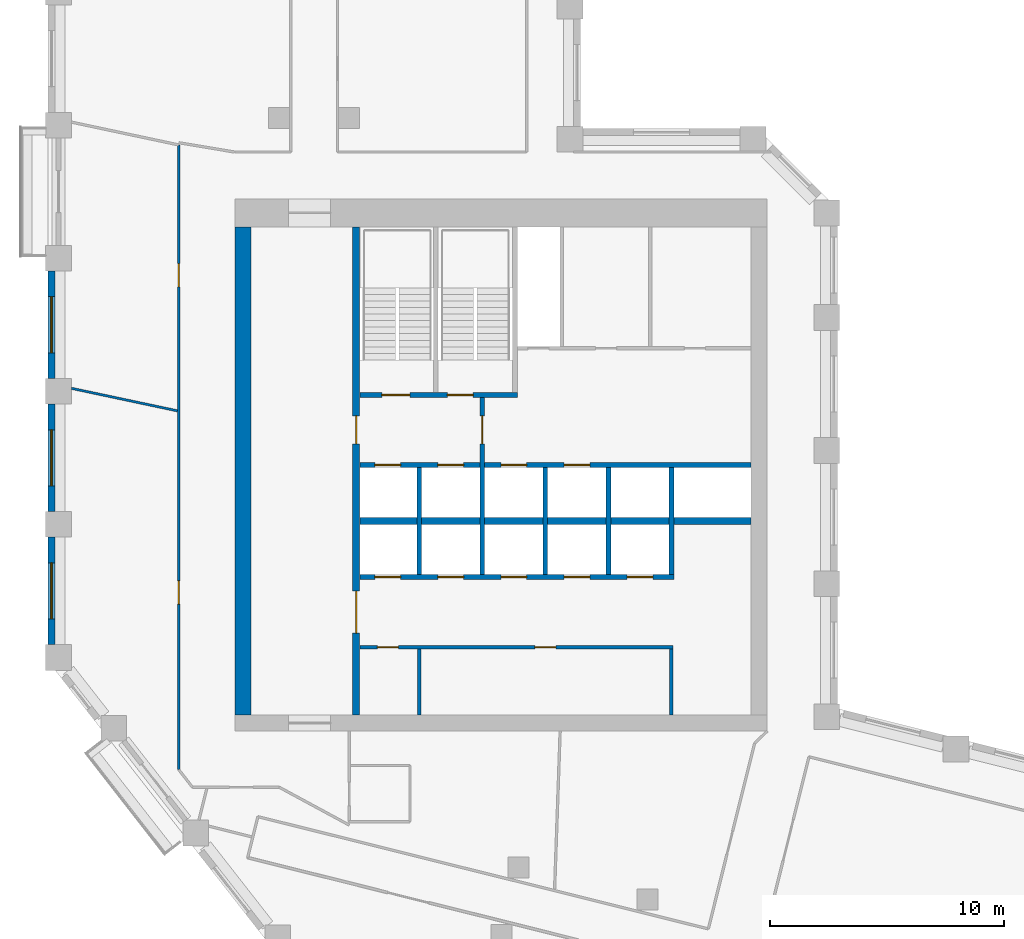
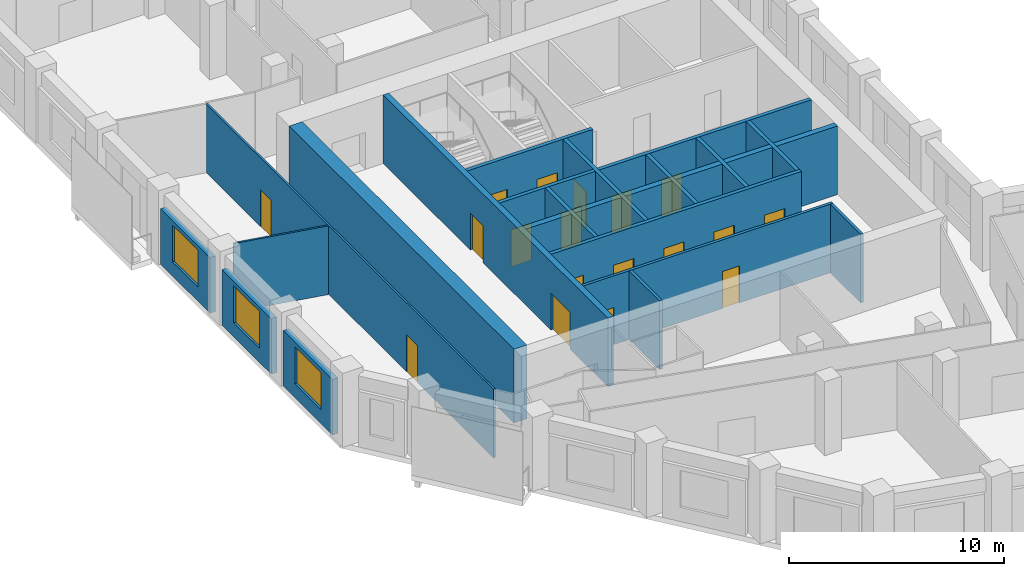
# One storey, part 5 of 10: 19 walls, 18 doors, 3 windows, 21 openings.
"""IFC4 building model written with IfcOpenShell, lengths in metres."""

from ifc_helpers import new_model, si_unit, direction, frame, frame_2d, origin, place, context, subcontext, project, spatial, rectangle, extrude, material, layer, layer_set, type_object, element, fill, save


model = new_model("IFC4")

# Units and contexts
model_context = context("Model", 3, precision=1e-05, world=origin(), true_north=direction((0.0, 1.0)))
body_context = subcontext(model_context, "Body", "Model", "MODEL_VIEW")
ifc_project = project(units=[si_unit("LENGTHUNIT", "METRE"), si_unit("AREAUNIT", "SQUARE_METRE"), si_unit("VOLUMEUNIT", "CUBIC_METRE"), si_unit("PLANEANGLEUNIT", "RADIAN"), si_unit("MASSUNIT", "GRAM", prefix="KILO")], contexts=[model_context])

# Site, building, storey
site_placement = place(None, origin())
site = spatial("IfcSite", under=ifc_project, at=site_placement, CompositionType="ELEMENT")
building_placement = place(site_placement, origin())
building = spatial("IfcBuilding", under=site, at=building_placement, Name="Meshkara Civic Tower", CompositionType="ELEMENT")
storey_placement = place(building_placement, frame((0.0, 0.0, 250.800048828125)))
storey = spatial("IfcBuildingStorey", under=building, at=storey_placement, Name="L57", CompositionType="ELEMENT", Elevation=250.800048828125)

# Wall, openings, doors
ifc_material_1 = material(Name="Blockwork", Category="masonry")
ifc_layer_1 = layer(ifc_material_1, 0.14990234375)
ifc_layer_set_1 = layer_set([ifc_layer_1], Name="Core partition 150")
wall_type_1 = type_object("IfcWallType", Name="Core partition 150", PredefinedType="PARTITIONING", material=ifc_layer_set_1)
wall_1_placement = place(storey_placement, frame((13.35009765625, 17.699951171875, 0.0), z_axis=(0.0, 0.0, 1.0), x_axis=(1.0, 0.0, 0.0)))
wall_1 = element("IfcWall", 1, at=wall_1_placement, inside=storey, type_object=wall_type_1, Name="L57-C005", PredefinedType="PARTITIONING", context=body_context, shape_type="SweptSolid", body=[
    extrude(rectangle(XDim=13.4248046875, YDim=0.14990234375, at=frame_2d((6.71240234375, 0.0))), origin(), (0.0, 0.0, 1.0), 3.89990234375),
])
opening_1_placement = place(wall_1_placement, frame((0.75, 0.0, 0.0)))
opening_1 = element("IfcOpeningElement", 2, at=opening_1_placement, cuts=wall_1, Name="Opening L57-K010", PredefinedType="OPENING", context=body_context, shape_type="SweptSolid", body=[
    extrude(rectangle(XDim=0.89990234375, YDim=2.10009765625, at=frame_2d((0.449951171875, 1.050048828125))), frame((0.0, 0.0849609375, 0.0), z_axis=(0.0, -1.0, 0.0), x_axis=(1.0, 0.0, 0.0)), (0.0, 0.0, 1.0), 0.169921875),
])
opening_2_placement = place(wall_1_placement, frame((7.5, 0.0, 0.0)))
opening_2 = element("IfcOpeningElement", 3, at=opening_2_placement, cuts=wall_1, Name="Opening L57-K011", PredefinedType="OPENING", context=body_context, shape_type="SweptSolid", body=[
    extrude(rectangle(XDim=0.89990234375, YDim=2.10009765625, at=frame_2d((0.449951171875, 1.050048828125))), frame((0.0, 0.0849609375, 0.0), z_axis=(0.0, -1.0, 0.0), x_axis=(1.0, 0.0, 0.0)), (0.0, 0.0, 1.0), 0.169921875),
])
ifc_material_2 = material(Name="Timber door leaf in steel frame", Category="steel")
door_type_1 = type_object("IfcDoorType", Name="Core room door 900", OperationType="SINGLE_SWING_LEFT", PredefinedType="DOOR", material=ifc_material_2)
door_1_placement = place(opening_1_placement, origin())
door_1 = element("IfcDoor", 4, at=door_1_placement, inside=storey, type_object=door_type_1, Name="L57-K010", OperationType="SINGLE_SWING_LEFT", OverallHeight=2.10009765625, OverallWidth=0.89990234375, PredefinedType="DOOR", context=body_context, shape_type="SweptSolid", body=[
    extrude(rectangle(XDim=0.89990234375, YDim=2.10009765625, at=frame_2d((0.449951171875, 1.050048828125))), frame((0.0, 0.02490234375, 0.0), z_axis=(0.0, -1.0, 0.0), x_axis=(1.0, 0.0, 0.0)), (0.0, 0.0, 1.0), 0.050048828125),
])
fill(opening_1, door_1)
door_2_placement = place(opening_2_placement, origin())
door_2 = element("IfcDoor", 5, at=door_2_placement, inside=storey, type_object=door_type_1, Name="L57-K011", OperationType="SINGLE_SWING_RIGHT", OverallHeight=2.10009765625, OverallWidth=0.89990234375, PredefinedType="DOOR", context=body_context, shape_type="SweptSolid", body=[
    extrude(rectangle(XDim=0.89990234375, YDim=2.10009765625, at=frame_2d((0.449951171875, 1.050048828125))), frame((0.0, 0.02490234375, 0.0), z_axis=(0.0, -1.0, 0.0), x_axis=(1.0, 0.0, 0.0)), (0.0, 0.0, 1.0), 0.050048828125),
])
fill(opening_2, door_2)

# Walls
for number, where, z_axis, x_axis, name in (
    (6, (15.89990234375, 14.800048828125, 0.0), (0.0, 0.0, 1.0), (0.0, 1.0, 0.0), "L57-C012"),
    (7, (26.699951171875, 14.800048828125, 0.0), (0.0, 0.0, 1.0), (0.0, 1.0, 0.0), "L57-C021"),
):
    element("IfcWall", number, at=place(storey_placement, frame(where, z_axis=z_axis, x_axis=x_axis)), inside=storey, type_object=wall_type_1, Name=name, PredefinedType="PARTITIONING", context=body_context, shape_type="SweptSolid", body=[
        extrude(rectangle(XDim=2.824951171875, YDim=0.14990234375, at=frame_2d((1.41259765625, 0.0))), origin(), (0.0, 0.0, 1.0), 3.89990234375),
    ])
ifc_material_3 = material(Name="Concrete C60", Category="concrete")
ifc_layer_2 = layer(ifc_material_3, 0.699951171875)
ifc_layer_set_2 = layer_set([ifc_layer_2], Name="Core ring wall 700 C60")
wall_type_2 = type_object("IfcWallType", Name="Core ring wall 700 C60", PredefinedType="SHEAR", material=ifc_layer_set_2)
wall_2_placement = place(storey_placement, frame((8.35009765625, 14.800048828125, -0.300048828125), z_axis=(0.0, 0.0, 1.0), x_axis=(0.0, 1.0, 0.0)))
element("IfcWall", 8, at=wall_2_placement, inside=storey, type_object=wall_type_2, Name="L57-C003", PredefinedType="SHEAR", context=body_context, shape_type="SweptSolid", body=[
    extrude(rectangle(XDim=20.89990234375, YDim=0.699951171875, at=frame_2d((10.449951171875, 0.0))), origin(), (0.0, 0.0, 1.0), 4.199951171875),
])
ifc_material_4 = material(Name="Concrete C60", Category="concrete")
ifc_layer_3 = layer(ifc_material_4, 0.300048828125)
ifc_layer_set_3 = layer_set([ifc_layer_3], Name="Core shear wall 300 C60")
wall_type_3 = type_object("IfcWallType", Name="Core shear wall 300 C60", PredefinedType="SHEAR", material=ifc_layer_set_3)
wall_3_placement = place(storey_placement, frame((13.35009765625, 23.10009765625, 0.0), z_axis=(0.0, 0.0, 1.0), x_axis=(1.0, 0.0, 0.0)))
element("IfcWall", 9, at=wall_3_placement, inside=storey, type_object=wall_type_3, Name="L57-C007", PredefinedType="SHEAR", context=body_context, shape_type="SweptSolid", body=[
    extrude(rectangle(XDim=16.75, YDim=0.300048828125, at=frame_2d((8.375, 0.0))), origin(), (0.0, 0.0, 1.0), 3.89990234375),
])

# Wall, openings, doors
wall_4_placement = place(storey_placement, frame((13.199951171875, 14.800048828125, 0.0), z_axis=(0.0, 0.0, 1.0), x_axis=(0.0, 1.0, 0.0)))
wall_4 = element("IfcWall", 10, at=wall_4_placement, inside=storey, type_object=wall_type_3, Name="L57-C011", PredefinedType="SHEAR", context=body_context, shape_type="SweptSolid", body=[
    extrude(rectangle(XDim=20.89990234375, YDim=0.300048828125, at=frame_2d((10.449951171875, 0.0))), origin(), (0.0, 0.0, 1.0), 3.89990234375),
])
opening_3_placement = place(wall_4_placement, frame((3.5, 0.0, 0.0)))
opening_3 = element("IfcOpeningElement", 11, at=opening_3_placement, cuts=wall_4, Name="Opening L57-K017", PredefinedType="OPENING", context=body_context, shape_type="SweptSolid", body=[
    extrude(rectangle(XDim=1.800048828125, YDim=2.10009765625, at=frame_2d((0.89990234375, 1.050048828125))), frame((0.0, 0.159912109375, 0.0), z_axis=(0.0, -1.0, 0.0), x_axis=(1.0, 0.0, 0.0)), (0.0, 0.0, 1.0), 0.320068359375),
])
opening_4_placement = place(wall_4_placement, frame((11.60009765625, 0.0, 0.0)))
opening_4 = element("IfcOpeningElement", 12, at=opening_4_placement, cuts=wall_4, Name="Opening L57-K018", PredefinedType="OPENING", context=body_context, shape_type="SweptSolid", body=[
    extrude(rectangle(XDim=1.199951171875, YDim=2.10009765625, at=frame_2d((0.60009765625, 1.050048828125))), frame((0.0, 0.159912109375, 0.0), z_axis=(0.0, -1.0, 0.0), x_axis=(1.0, 0.0, 0.0)), (0.0, 0.0, 1.0), 0.320068359375),
])
ifc_material_5 = material(Name="Fire-rated door leaf in steel frame", Category="steel")
door_type_2 = type_object("IfcDoorType", Name="Core double door 1800 EI 60", OperationType="DOUBLE_DOOR_SINGLE_SWING", PredefinedType="DOOR", material=ifc_material_5)
door_3_placement = place(opening_3_placement, origin())
door_3 = element("IfcDoor", 13, at=door_3_placement, inside=storey, type_object=door_type_2, Name="L57-K017", OperationType="DOUBLE_DOOR_SINGLE_SWING", OverallHeight=2.10009765625, OverallWidth=1.800048828125, PredefinedType="DOOR", context=body_context, shape_type="SweptSolid", body=[
    extrude(rectangle(XDim=1.800048828125, YDim=2.10009765625, at=frame_2d((0.89990234375, 1.050048828125))), frame((0.0, 0.02490234375, 0.0), z_axis=(0.0, -1.0, 0.0), x_axis=(1.0, 0.0, 0.0)), (0.0, 0.0, 1.0), 0.050048828125),
])
fill(opening_3, door_3)
ifc_material_6 = material(Name="Fire-rated door leaf in steel frame", Category="steel")
door_type_3 = type_object("IfcDoorType", Name="Fire-fighting lobby door 1200 EI 120", OperationType="SINGLE_SWING_LEFT", PredefinedType="DOOR", material=ifc_material_6)
door_4_placement = place(opening_4_placement, origin())
door_4 = element("IfcDoor", 14, at=door_4_placement, inside=storey, type_object=door_type_3, Name="L57-K018", OperationType="SINGLE_SWING_LEFT", OverallHeight=2.10009765625, OverallWidth=1.199951171875, PredefinedType="DOOR", context=body_context, shape_type="SweptSolid", body=[
    extrude(rectangle(XDim=1.199951171875, YDim=2.10009765625, at=frame_2d((0.60009765625, 1.050048828125))), frame((0.0, 0.02490234375, 0.0), z_axis=(0.0, -1.0, 0.0), x_axis=(1.0, 0.0, 0.0)), (0.0, 0.0, 1.0), 0.050048828125),
])
fill(opening_4, door_4)

ifc_material_7 = material(Name="Corridor wall 100")
ifc_layer_4 = layer(ifc_material_7, 0.10009765625)
ifc_layer_set_4 = layer_set([ifc_layer_4], Name="Corridor wall 100")
wall_type_4 = type_object("IfcWallType", Name="Corridor wall 100", PredefinedType="PARTITIONING", material=ifc_layer_set_4)
wall_5_placement = place(storey_placement, frame((5.60009765625, 39.205078125, 0.0), z_axis=(0.0, 0.0, 1.0), x_axis=(0.0, -1.0, 0.0)))
wall_5 = element("IfcWall", 15, at=wall_5_placement, inside=storey, type_object=wall_type_4, Name="L57-W004", PredefinedType="PARTITIONING", context=body_context, shape_type="SweptSolid", body=[
    extrude(rectangle(XDim=26.755126953125, YDim=0.10009765625, at=frame_2d((13.37744140625, 0.0))), origin(), (0.0, 0.0, 1.0), 3.89990234375),
])
opening_5_placement = place(wall_5_placement, frame((18.6669921875, 0.0, 0.0)))
opening_5 = element("IfcOpeningElement", 16, at=opening_5_placement, cuts=wall_5, Name="Opening L57-D013", PredefinedType="OPENING", context=body_context, shape_type="SweptSolid", body=[
    extrude(rectangle(XDim=1.0, YDim=2.10009765625, at=frame_2d((0.5, 1.050048828125))), frame((0.0, 0.06005859375, 0.0), z_axis=(0.0, -1.0, 0.0), x_axis=(1.0, 0.0, 0.0)), (0.0, 0.0, 1.0), 0.1201171875),
])
opening_6_placement = place(wall_5_placement, frame((5.080078125, 0.0, 0.0)))
opening_6 = element("IfcOpeningElement", 17, at=opening_6_placement, cuts=wall_5, Name="Opening L57-D014", PredefinedType="OPENING", context=body_context, shape_type="SweptSolid", body=[
    extrude(rectangle(XDim=1.0, YDim=2.10009765625, at=frame_2d((0.5, 1.050048828125))), frame((0.0, 0.06005859375, 0.0), z_axis=(0.0, -1.0, 0.0), x_axis=(1.0, 0.0, 0.0)), (0.0, 0.0, 1.0), 0.1201171875),
])
ifc_material_8 = material(Name="Door 1000 x 2100")
door_type_4 = type_object("IfcDoorType", Name="Door 1000 x 2100", OperationType="SINGLE_SWING_LEFT", PredefinedType="DOOR", material=ifc_material_8)
door_5_placement = place(opening_5_placement, origin())
door_5 = element("IfcDoor", 18, at=door_5_placement, inside=storey, type_object=door_type_4, Name="L57-D013", OperationType="SINGLE_SWING_LEFT", OverallHeight=2.10009765625, OverallWidth=1.0, PredefinedType="DOOR", context=body_context, shape_type="SweptSolid", body=[
    extrude(rectangle(XDim=1.0, YDim=2.10009765625, at=frame_2d((0.5, 1.050048828125))), frame((0.0, 0.02490234375, 0.0), z_axis=(0.0, -1.0, 0.0), x_axis=(1.0, 0.0, 0.0)), (0.0, 0.0, 1.0), 0.050048828125),
])
fill(opening_5, door_5)
door_6_placement = place(opening_6_placement, origin())
door_6 = element("IfcDoor", 19, at=door_6_placement, inside=storey, type_object=door_type_4, Name="L57-D014", OperationType="SINGLE_SWING_RIGHT", OverallHeight=2.10009765625, OverallWidth=1.0, PredefinedType="DOOR", context=body_context, shape_type="SweptSolid", body=[
    extrude(rectangle(XDim=1.0, YDim=2.10009765625, at=frame_2d((0.5, 1.050048828125))), frame((0.0, 0.02490234375, 0.0), z_axis=(0.0, -1.0, 0.0), x_axis=(1.0, 0.0, 0.0)), (0.0, 0.0, 1.0), 0.050048828125),
])
fill(opening_6, door_6)

# Wall, opening, window
ifc_material_9 = material(Name="Insulated infill panel with bronze anodised aluminium cladding", Category="aluminium")
ifc_layer_5 = layer(ifc_material_9, 0.300048828125)
ifc_layer_set_5 = layer_set([ifc_layer_5], Name="EXTERNAL INFILL WALL 300")
wall_type_5 = type_object("IfcWallType", Name="EXTERNAL INFILL WALL 300", PredefinedType="SOLIDWALL", material=ifc_layer_set_5)
wall_6_placement = place(storey_placement, frame((0.14990234375, 33.804931640625, 0.0), z_axis=(0.0, 0.0, 1.0), x_axis=(0.0, -1.0, 0.0)))
wall_6 = element("IfcWall", 20, at=wall_6_placement, inside=storey, type_object=wall_type_5, Name="External wall", PredefinedType="SOLIDWALL", context=body_context, shape_type="SweptSolid", body=[
    extrude(rectangle(XDim=4.599853515625, YDim=0.300048828125, at=frame_2d((2.2998046875, 0.0))), origin(), (0.0, 0.0, 1.0), 3.14990234375),
])
opening_7_placement = place(wall_6_placement, frame((1.10009765625, 0.0, 0.800048828125)))
opening_7 = element("IfcOpeningElement", 21, at=opening_7_placement, cuts=wall_6, Name="Opening W7", PredefinedType="OPENING", context=body_context, shape_type="SweptSolid", body=[
    extrude(rectangle(XDim=2.39990234375, YDim=2.10009765625, at=frame_2d((1.199951171875, 1.050048828125))), frame((0.0, 0.159912109375, 0.0), z_axis=(0.0, -1.0, 0.0), x_axis=(1.0, 0.0, 0.0)), (0.0, 0.0, 1.0), 0.320068359375),
])
ifc_material_10 = material(Name="Tinted double glazing", Category="glass")
window_type = type_object("IfcWindowType", Name="WINDOW 2400x2100", PartitioningType="DOUBLE_PANEL_VERTICAL", PredefinedType="WINDOW", material=ifc_material_10)
window_1_placement = place(opening_7_placement, origin())
window_1 = element("IfcWindow", 22, at=window_1_placement, inside=storey, type_object=window_type, Name="Window", OverallHeight=2.10009765625, OverallWidth=2.39990234375, PartitioningType="DOUBLE_PANEL_VERTICAL", PredefinedType="WINDOW", context=body_context, shape_type="SweptSolid", body=[
    extrude(rectangle(XDim=2.39990234375, YDim=2.10009765625, at=frame_2d((1.199951171875, 1.050048828125))), frame((0.0, 0.030029296875, 0.0), z_axis=(0.0, -1.0, 0.0), x_axis=(1.0, 0.0, 0.0)), (0.0, 0.0, 1.0), 0.06005859375),
])
fill(opening_7, window_1)

wall_7_placement = place(storey_placement, frame((0.14990234375, 28.10498046875, 0.0), z_axis=(0.0, 0.0, 1.0), x_axis=(0.0, -1.0, 0.0)))
wall_7 = element("IfcWall", 23, at=wall_7_placement, inside=storey, type_object=wall_type_5, Name="External wall", PredefinedType="SOLIDWALL", context=body_context, shape_type="SweptSolid", body=[
    extrude(rectangle(XDim=4.60009765625, YDim=0.300048828125, at=frame_2d((2.300048828125, 0.0))), origin(), (0.0, 0.0, 1.0), 3.14990234375),
])
opening_8_placement = place(wall_7_placement, frame((1.10009765625, 0.0, 0.800048828125)))
opening_8 = element("IfcOpeningElement", 24, at=opening_8_placement, cuts=wall_7, Name="Opening W7", PredefinedType="OPENING", context=body_context, shape_type="SweptSolid", body=[
    extrude(rectangle(XDim=2.39990234375, YDim=2.10009765625, at=frame_2d((1.199951171875, 1.050048828125))), frame((0.0, 0.159912109375, 0.0), z_axis=(0.0, -1.0, 0.0), x_axis=(1.0, 0.0, 0.0)), (0.0, 0.0, 1.0), 0.320068359375),
])
window_2_placement = place(opening_8_placement, origin())
window_2 = element("IfcWindow", 25, at=window_2_placement, inside=storey, type_object=window_type, Name="Window", OverallHeight=2.10009765625, OverallWidth=2.39990234375, PartitioningType="DOUBLE_PANEL_VERTICAL", PredefinedType="WINDOW", context=body_context, shape_type="SweptSolid", body=[
    extrude(rectangle(XDim=2.39990234375, YDim=2.10009765625, at=frame_2d((1.199951171875, 1.050048828125))), frame((0.0, 0.030029296875, 0.0), z_axis=(0.0, -1.0, 0.0), x_axis=(1.0, 0.0, 0.0)), (0.0, 0.0, 1.0), 0.06005859375),
])
fill(opening_8, window_2)

wall_8_placement = place(storey_placement, frame((0.14990234375, 22.405029296875, 0.0), z_axis=(0.0, 0.0, 1.0), x_axis=(0.0, -1.0, 0.0)))
wall_8 = element("IfcWall", 26, at=wall_8_placement, inside=storey, type_object=wall_type_5, Name="External wall", PredefinedType="SOLIDWALL", context=body_context, shape_type="SweptSolid", body=[
    extrude(rectangle(XDim=4.60009765625, YDim=0.300048828125, at=frame_2d((2.300048828125, 0.0))), origin(), (0.0, 0.0, 1.0), 3.14990234375),
])
opening_9_placement = place(wall_8_placement, frame((1.10009765625, 0.0, 0.800048828125)))
opening_9 = element("IfcOpeningElement", 27, at=opening_9_placement, cuts=wall_8, Name="Opening W7", PredefinedType="OPENING", context=body_context, shape_type="SweptSolid", body=[
    extrude(rectangle(XDim=2.39990234375, YDim=2.10009765625, at=frame_2d((1.199951171875, 1.050048828125))), frame((0.0, 0.159912109375, 0.0), z_axis=(0.0, -1.0, 0.0), x_axis=(1.0, 0.0, 0.0)), (0.0, 0.0, 1.0), 0.320068359375),
])
window_3_placement = place(opening_9_placement, origin())
window_3 = element("IfcWindow", 28, at=window_3_placement, inside=storey, type_object=window_type, Name="Window", OverallHeight=2.10009765625, OverallWidth=2.39990234375, PartitioningType="DOUBLE_PANEL_VERTICAL", PredefinedType="WINDOW", context=body_context, shape_type="SweptSolid", body=[
    extrude(rectangle(XDim=2.39990234375, YDim=2.10009765625, at=frame_2d((1.199951171875, 1.050048828125))), frame((0.0, 0.030029296875, 0.0), z_axis=(0.0, -1.0, 0.0), x_axis=(1.0, 0.0, 0.0)), (0.0, 0.0, 1.0), 0.06005859375),
])
fill(opening_9, window_3)

# Wall
ifc_material_11 = material(Name="Partition 100")
ifc_layer_6 = layer(ifc_material_11, 0.10009765625)
ifc_layer_set_6 = layer_set([ifc_layer_6], Name="Partition 100")
wall_type_6 = type_object("IfcWallType", Name="Partition 100", PredefinedType="PARTITIONING", material=ifc_layer_set_6)
wall_9_placement = place(storey_placement, frame((5.5400390625, 27.818115234375, 0.0), z_axis=(0.0, 0.0, 1.0), x_axis=(-0.978155107638, 0.207876370477, 0.0)))
element("IfcWall", 29, at=wall_9_placement, inside=storey, type_object=wall_type_6, Name="L57-W046", PredefinedType="PARTITIONING", context=body_context, shape_type="SweptSolid", body=[
    extrude(rectangle(XDim=4.641357421875, YDim=0.10009765625, at=frame_2d((2.32080078125, 0.0))), origin(), (0.0, 0.0, 1.0), 3.89990234375),
])

# Wall, openings, doors
ifc_material_12 = material(Name="Concrete C40/50", Category="concrete")
ifc_layer_7 = layer(ifc_material_12, 0.199951171875)
ifc_layer_set_7 = layer_set([ifc_layer_7], Name="Shaft wall 200 C40/50")
wall_type_7 = type_object("IfcWallType", Name="Shaft wall 200 C40/50", PredefinedType="SOLIDWALL", material=ifc_layer_set_7)
wall_10_placement = place(storey_placement, frame((13.35009765625, 20.699951171875, 0.0), z_axis=(0.0, 0.0, 1.0), x_axis=(1.0, 0.0, 0.0)))
wall_10 = element("IfcWall", 30, at=wall_10_placement, inside=storey, type_object=wall_type_7, Name="L57-C006", PredefinedType="SOLIDWALL", context=body_context, shape_type="SweptSolid", body=[
    extrude(rectangle(XDim=13.449951171875, YDim=0.199951171875, at=frame_2d((6.72509765625, 0.0))), origin(), (0.0, 0.0, 1.0), 3.89990234375),
])
opening_10_placement = place(wall_10_placement, frame((0.64990234375, 0.0, 0.0)))
opening_10 = element("IfcOpeningElement", 31, at=opening_10_placement, cuts=wall_10, Name="Opening L57-K001", PredefinedType="OPENING", context=body_context, shape_type="SweptSolid", body=[
    extrude(rectangle(XDim=1.10009765625, YDim=2.10009765625, at=frame_2d((0.550048828125, 1.050048828125))), frame((0.0, 0.10986328125, 0.0), z_axis=(0.0, -1.0, 0.0), x_axis=(1.0, 0.0, 0.0)), (0.0, 0.0, 1.0), 0.219970703125),
])
opening_11_placement = place(wall_10_placement, frame((3.35009765625, 0.0, 0.0)))
opening_11 = element("IfcOpeningElement", 32, at=opening_11_placement, cuts=wall_10, Name="Opening L57-K002", PredefinedType="OPENING", context=body_context, shape_type="SweptSolid", body=[
    extrude(rectangle(XDim=1.10009765625, YDim=2.10009765625, at=frame_2d((0.550048828125, 1.050048828125))), frame((0.0, 0.10986328125, 0.0), z_axis=(0.0, -1.0, 0.0), x_axis=(1.0, 0.0, 0.0)), (0.0, 0.0, 1.0), 0.219970703125),
])
opening_12_placement = place(wall_10_placement, frame((6.050048828125, 0.0, 0.0)))
opening_12 = element("IfcOpeningElement", 33, at=opening_12_placement, cuts=wall_10, Name="Opening L57-K003", PredefinedType="OPENING", context=body_context, shape_type="SweptSolid", body=[
    extrude(rectangle(XDim=1.10009765625, YDim=2.10009765625, at=frame_2d((0.550048828125, 1.050048828125))), frame((0.0, 0.10986328125, 0.0), z_axis=(0.0, -1.0, 0.0), x_axis=(1.0, 0.0, 0.0)), (0.0, 0.0, 1.0), 0.219970703125),
])
opening_13_placement = place(wall_10_placement, frame((8.75, 0.0, 0.0)))
opening_13 = element("IfcOpeningElement", 34, at=opening_13_placement, cuts=wall_10, Name="Opening L57-K004", PredefinedType="OPENING", context=body_context, shape_type="SweptSolid", body=[
    extrude(rectangle(XDim=1.10009765625, YDim=2.10009765625, at=frame_2d((0.550048828125, 1.050048828125))), frame((0.0, 0.10986328125, 0.0), z_axis=(0.0, -1.0, 0.0), x_axis=(1.0, 0.0, 0.0)), (0.0, 0.0, 1.0), 0.219970703125),
])
opening_14_placement = place(wall_10_placement, frame((11.449951171875, 0.0, 0.0)))
opening_14 = element("IfcOpeningElement", 35, at=opening_14_placement, cuts=wall_10, Name="Opening L57-K005", PredefinedType="OPENING", context=body_context, shape_type="SweptSolid", body=[
    extrude(rectangle(XDim=1.10009765625, YDim=2.10009765625, at=frame_2d((0.550048828125, 1.050048828125))), frame((0.0, 0.10986328125, 0.0), z_axis=(0.0, -1.0, 0.0), x_axis=(1.0, 0.0, 0.0)), (0.0, 0.0, 1.0), 0.219970703125),
])
ifc_material_13 = material(Name="Stainless steel landing door", Category="steel")
door_type_5 = type_object("IfcDoorType", Name="Lift landing door 1100", OperationType="SLIDING_TO_LEFT", PredefinedType="DOOR", material=ifc_material_13)
door_7_placement = place(opening_10_placement, origin())
door_7 = element("IfcDoor", 36, at=door_7_placement, inside=storey, type_object=door_type_5, Name="L57-K001", OperationType="SLIDING_TO_LEFT", OverallHeight=2.10009765625, OverallWidth=1.10009765625, PredefinedType="DOOR", context=body_context, shape_type="SweptSolid", body=[
    extrude(rectangle(XDim=1.10009765625, YDim=2.10009765625, at=frame_2d((0.550048828125, 1.050048828125))), frame((0.0, 0.02490234375, 0.0), z_axis=(0.0, -1.0, 0.0), x_axis=(1.0, 0.0, 0.0)), (0.0, 0.0, 1.0), 0.050048828125),
])
fill(opening_10, door_7)
door_8_placement = place(opening_11_placement, origin())
door_8 = element("IfcDoor", 37, at=door_8_placement, inside=storey, type_object=door_type_5, Name="L57-K002", OperationType="SLIDING_TO_LEFT", OverallHeight=2.10009765625, OverallWidth=1.10009765625, PredefinedType="DOOR", context=body_context, shape_type="SweptSolid", body=[
    extrude(rectangle(XDim=1.10009765625, YDim=2.10009765625, at=frame_2d((0.550048828125, 1.050048828125))), frame((0.0, 0.02490234375, 0.0), z_axis=(0.0, -1.0, 0.0), x_axis=(1.0, 0.0, 0.0)), (0.0, 0.0, 1.0), 0.050048828125),
])
fill(opening_11, door_8)
door_9_placement = place(opening_12_placement, origin())
door_9 = element("IfcDoor", 38, at=door_9_placement, inside=storey, type_object=door_type_5, Name="L57-K003", OperationType="SLIDING_TO_LEFT", OverallHeight=2.10009765625, OverallWidth=1.10009765625, PredefinedType="DOOR", context=body_context, shape_type="SweptSolid", body=[
    extrude(rectangle(XDim=1.10009765625, YDim=2.10009765625, at=frame_2d((0.550048828125, 1.050048828125))), frame((0.0, 0.02490234375, 0.0), z_axis=(0.0, -1.0, 0.0), x_axis=(1.0, 0.0, 0.0)), (0.0, 0.0, 1.0), 0.050048828125),
])
fill(opening_12, door_9)
door_10_placement = place(opening_13_placement, origin())
door_10 = element("IfcDoor", 39, at=door_10_placement, inside=storey, type_object=door_type_5, Name="L57-K004", OperationType="SLIDING_TO_LEFT", OverallHeight=2.10009765625, OverallWidth=1.10009765625, PredefinedType="DOOR", context=body_context, shape_type="SweptSolid", body=[
    extrude(rectangle(XDim=1.10009765625, YDim=2.10009765625, at=frame_2d((0.550048828125, 1.050048828125))), frame((0.0, 0.02490234375, 0.0), z_axis=(0.0, -1.0, 0.0), x_axis=(1.0, 0.0, 0.0)), (0.0, 0.0, 1.0), 0.050048828125),
])
fill(opening_13, door_10)
door_11_placement = place(opening_14_placement, origin())
door_11 = element("IfcDoor", 40, at=door_11_placement, inside=storey, type_object=door_type_5, Name="L57-K005", OperationType="SLIDING_TO_LEFT", OverallHeight=2.10009765625, OverallWidth=1.10009765625, PredefinedType="DOOR", context=body_context, shape_type="SweptSolid", body=[
    extrude(rectangle(XDim=1.10009765625, YDim=2.10009765625, at=frame_2d((0.550048828125, 1.050048828125))), frame((0.0, 0.02490234375, 0.0), z_axis=(0.0, -1.0, 0.0), x_axis=(1.0, 0.0, 0.0)), (0.0, 0.0, 1.0), 0.050048828125),
])
fill(opening_14, door_11)

wall_11_placement = place(storey_placement, frame((13.35009765625, 25.5, 0.0), z_axis=(0.0, 0.0, 1.0), x_axis=(1.0, 0.0, 0.0)))
wall_11 = element("IfcWall", 41, at=wall_11_placement, inside=storey, type_object=wall_type_7, Name="L57-C008", PredefinedType="SOLIDWALL", context=body_context, shape_type="SweptSolid", body=[
    extrude(rectangle(XDim=16.75, YDim=0.199951171875, at=frame_2d((8.375, 0.0))), origin(), (0.0, 0.0, 1.0), 3.89990234375),
])
opening_15_placement = place(wall_11_placement, frame((0.64990234375, 0.0, 0.0)))
opening_15 = element("IfcOpeningElement", 42, at=opening_15_placement, cuts=wall_11, Name="Opening L57-K006", PredefinedType="OPENING", context=body_context, shape_type="SweptSolid", body=[
    extrude(rectangle(XDim=1.10009765625, YDim=2.10009765625, at=frame_2d((0.550048828125, 1.050048828125))), frame((0.0, 0.10986328125, 0.0), z_axis=(0.0, -1.0, 0.0), x_axis=(1.0, 0.0, 0.0)), (0.0, 0.0, 1.0), 0.219970703125),
])
opening_16_placement = place(wall_11_placement, frame((3.35009765625, 0.0, 0.0)))
opening_16 = element("IfcOpeningElement", 43, at=opening_16_placement, cuts=wall_11, Name="Opening L57-K007", PredefinedType="OPENING", context=body_context, shape_type="SweptSolid", body=[
    extrude(rectangle(XDim=1.10009765625, YDim=2.10009765625, at=frame_2d((0.550048828125, 1.050048828125))), frame((0.0, 0.10986328125, 0.0), z_axis=(0.0, -1.0, 0.0), x_axis=(1.0, 0.0, 0.0)), (0.0, 0.0, 1.0), 0.219970703125),
])
opening_17_placement = place(wall_11_placement, frame((6.050048828125, 0.0, 0.0)))
opening_17 = element("IfcOpeningElement", 44, at=opening_17_placement, cuts=wall_11, Name="Opening L57-K008", PredefinedType="OPENING", context=body_context, shape_type="SweptSolid", body=[
    extrude(rectangle(XDim=1.10009765625, YDim=2.10009765625, at=frame_2d((0.550048828125, 1.050048828125))), frame((0.0, 0.10986328125, 0.0), z_axis=(0.0, -1.0, 0.0), x_axis=(1.0, 0.0, 0.0)), (0.0, 0.0, 1.0), 0.219970703125),
])
opening_18_placement = place(wall_11_placement, frame((8.75, 0.0, 0.0)))
opening_18 = element("IfcOpeningElement", 45, at=opening_18_placement, cuts=wall_11, Name="Opening L57-K009", PredefinedType="OPENING", context=body_context, shape_type="SweptSolid", body=[
    extrude(rectangle(XDim=1.10009765625, YDim=2.10009765625, at=frame_2d((0.550048828125, 1.050048828125))), frame((0.0, 0.10986328125, 0.0), z_axis=(0.0, -1.0, 0.0), x_axis=(1.0, 0.0, 0.0)), (0.0, 0.0, 1.0), 0.219970703125),
])
door_12_placement = place(opening_15_placement, origin())
door_12 = element("IfcDoor", 46, at=door_12_placement, inside=storey, type_object=door_type_5, Name="L57-K006", OperationType="SLIDING_TO_LEFT", OverallHeight=2.10009765625, OverallWidth=1.10009765625, PredefinedType="DOOR", context=body_context, shape_type="SweptSolid", body=[
    extrude(rectangle(XDim=1.10009765625, YDim=2.10009765625, at=frame_2d((0.550048828125, 1.050048828125))), frame((0.0, 0.02490234375, 0.0), z_axis=(0.0, -1.0, 0.0), x_axis=(1.0, 0.0, 0.0)), (0.0, 0.0, 1.0), 0.050048828125),
])
fill(opening_15, door_12)
door_13_placement = place(opening_16_placement, origin())
door_13 = element("IfcDoor", 47, at=door_13_placement, inside=storey, type_object=door_type_5, Name="L57-K007", OperationType="SLIDING_TO_LEFT", OverallHeight=2.10009765625, OverallWidth=1.10009765625, PredefinedType="DOOR", context=body_context, shape_type="SweptSolid", body=[
    extrude(rectangle(XDim=1.10009765625, YDim=2.10009765625, at=frame_2d((0.550048828125, 1.050048828125))), frame((0.0, 0.02490234375, 0.0), z_axis=(0.0, -1.0, 0.0), x_axis=(1.0, 0.0, 0.0)), (0.0, 0.0, 1.0), 0.050048828125),
])
fill(opening_16, door_13)
door_14_placement = place(opening_17_placement, origin())
door_14 = element("IfcDoor", 48, at=door_14_placement, inside=storey, type_object=door_type_5, Name="L57-K008", OperationType="SLIDING_TO_LEFT", OverallHeight=2.10009765625, OverallWidth=1.10009765625, PredefinedType="DOOR", context=body_context, shape_type="SweptSolid", body=[
    extrude(rectangle(XDim=1.10009765625, YDim=2.10009765625, at=frame_2d((0.550048828125, 1.050048828125))), frame((0.0, 0.02490234375, 0.0), z_axis=(0.0, -1.0, 0.0), x_axis=(1.0, 0.0, 0.0)), (0.0, 0.0, 1.0), 0.050048828125),
])
fill(opening_17, door_14)
door_15_placement = place(opening_18_placement, origin())
door_15 = element("IfcDoor", 49, at=door_15_placement, inside=storey, type_object=door_type_5, Name="L57-K009", OperationType="SLIDING_TO_LEFT", OverallHeight=2.10009765625, OverallWidth=1.10009765625, PredefinedType="DOOR", context=body_context, shape_type="SweptSolid", body=[
    extrude(rectangle(XDim=1.10009765625, YDim=2.10009765625, at=frame_2d((0.550048828125, 1.050048828125))), frame((0.0, 0.02490234375, 0.0), z_axis=(0.0, -1.0, 0.0), x_axis=(1.0, 0.0, 0.0)), (0.0, 0.0, 1.0), 0.050048828125),
])
fill(opening_18, door_15)

# Wall
wall_12_placement = place(storey_placement, frame((15.89990234375, 20.800048828125, 0.0), z_axis=(0.0, 0.0, 1.0), x_axis=(0.0, 1.0, 0.0)))
element("IfcWall", 50, at=wall_12_placement, inside=storey, type_object=wall_type_7, Name="L57-C013", PredefinedType="SOLIDWALL", context=body_context, shape_type="SweptSolid", body=[
    extrude(rectangle(XDim=4.599853515625, YDim=0.199951171875, at=frame_2d((2.2998046875, 0.0))), origin(), (0.0, 0.0, 1.0), 3.89990234375),
])

# Wall, opening, door
wall_13_placement = place(storey_placement, frame((18.60009765625, 20.800048828125, 0.0), z_axis=(0.0, 0.0, 1.0), x_axis=(0.0, 1.0, 0.0)))
wall_13 = element("IfcWall", 51, at=wall_13_placement, inside=storey, type_object=wall_type_7, Name="L57-C015", PredefinedType="SOLIDWALL", context=body_context, shape_type="SweptSolid", body=[
    extrude(rectangle(XDim=7.599853515625, YDim=0.199951171875, at=frame_2d((3.7998046875, 0.0))), origin(), (0.0, 0.0, 1.0), 3.89990234375),
])
opening_19_placement = place(wall_13_placement, frame((5.60009765625, 0.0, 0.0)))
opening_19 = element("IfcOpeningElement", 52, at=opening_19_placement, cuts=wall_13, Name="Opening L57-K019", PredefinedType="OPENING", context=body_context, shape_type="SweptSolid", body=[
    extrude(rectangle(XDim=1.199951171875, YDim=2.10009765625, at=frame_2d((0.60009765625, 1.050048828125))), frame((0.0, 0.10986328125, 0.0), z_axis=(0.0, -1.0, 0.0), x_axis=(1.0, 0.0, 0.0)), (0.0, 0.0, 1.0), 0.219970703125),
])
door_16_placement = place(opening_19_placement, origin())
door_16 = element("IfcDoor", 53, at=door_16_placement, inside=storey, type_object=door_type_3, Name="L57-K019", OperationType="SINGLE_SWING_RIGHT", OverallHeight=2.10009765625, OverallWidth=1.199951171875, PredefinedType="DOOR", context=body_context, shape_type="SweptSolid", body=[
    extrude(rectangle(XDim=1.199951171875, YDim=2.10009765625, at=frame_2d((0.60009765625, 1.050048828125))), frame((0.0, 0.02490234375, 0.0), z_axis=(0.0, -1.0, 0.0), x_axis=(1.0, 0.0, 0.0)), (0.0, 0.0, 1.0), 0.050048828125),
])
fill(opening_19, door_16)

# Walls
for number, where, z_axis, x_axis, name in (
    (54, (21.300048828125, 20.800048828125, 0.0), (0.0, 0.0, 1.0), (0.0, 1.0, 0.0), "L57-C017"),
    (55, (24.0, 20.800048828125, 0.0), (0.0, 0.0, 1.0), (0.0, 1.0, 0.0), "L57-C019"),
    (56, (26.699951171875, 20.800048828125, 0.0), (0.0, 0.0, 1.0), (0.0, 1.0, 0.0), "L57-C022"),
):
    element("IfcWall", number, at=place(storey_placement, frame(where, z_axis=z_axis, x_axis=x_axis)), inside=storey, type_object=wall_type_7, Name=name, PredefinedType="SOLIDWALL", context=body_context, shape_type="SweptSolid", body=[
        extrude(rectangle(XDim=4.599853515625, YDim=0.199951171875, at=frame_2d((2.2998046875, 0.0))), origin(), (0.0, 0.0, 1.0), 3.89990234375),
    ])

# Wall, openings, doors
ifc_material_14 = material(Name="Concrete C40/50", Category="concrete")
ifc_layer_8 = layer(ifc_material_14, 0.199951171875)
ifc_layer_set_8 = layer_set([ifc_layer_8], Name="Stair enclosure wall 200 C40/50")
wall_type_8 = type_object("IfcWallType", Name="Stair enclosure wall 200 C40/50", PredefinedType="SOLIDWALL", material=ifc_layer_set_8)
wall_14_placement = place(storey_placement, frame((13.35009765625, 28.5, 0.0), z_axis=(0.0, 0.0, 1.0), x_axis=(1.0, 0.0, 0.0)))
wall_14 = element("IfcWall", 57, at=wall_14_placement, inside=storey, type_object=wall_type_8, Name="L57-C009", PredefinedType="SOLIDWALL", context=body_context, shape_type="SweptSolid", body=[
    extrude(rectangle(XDim=6.75, YDim=0.199951171875, at=frame_2d((3.375, 0.0))), origin(), (0.0, 0.0, 1.0), 3.89990234375),
])
opening_20_placement = place(wall_14_placement, frame((0.949951171875, 0.0, 0.0)))
opening_20 = element("IfcOpeningElement", 58, at=opening_20_placement, cuts=wall_14, Name="Opening L57-K015", PredefinedType="OPENING", context=body_context, shape_type="SweptSolid", body=[
    extrude(rectangle(XDim=1.199951171875, YDim=2.10009765625, at=frame_2d((0.60009765625, 1.050048828125))), frame((0.0, 0.10986328125, 0.0), z_axis=(0.0, -1.0, 0.0), x_axis=(1.0, 0.0, 0.0)), (0.0, 0.0, 1.0), 0.219970703125),
])
opening_21_placement = place(wall_14_placement, frame((3.75, 0.0, 0.0)))
opening_21 = element("IfcOpeningElement", 59, at=opening_21_placement, cuts=wall_14, Name="Opening L57-K016", PredefinedType="OPENING", context=body_context, shape_type="SweptSolid", body=[
    extrude(rectangle(XDim=1.10009765625, YDim=2.10009765625, at=frame_2d((0.550048828125, 1.050048828125))), frame((0.0, 0.10986328125, 0.0), z_axis=(0.0, -1.0, 0.0), x_axis=(1.0, 0.0, 0.0)), (0.0, 0.0, 1.0), 0.219970703125),
])
ifc_material_15 = material(Name="Fire-rated door leaf in steel frame", Category="steel")
door_type_6 = type_object("IfcDoorType", Name="Stair door 1100 EI 120", OperationType="SINGLE_SWING_LEFT", PredefinedType="DOOR", material=ifc_material_15)
door_17_placement = place(opening_21_placement, origin())
door_17 = element("IfcDoor", 60, at=door_17_placement, inside=storey, type_object=door_type_6, Name="L57-K016", OperationType="SINGLE_SWING_LEFT", OverallHeight=2.10009765625, OverallWidth=1.10009765625, PredefinedType="DOOR", context=body_context, shape_type="SweptSolid", body=[
    extrude(rectangle(XDim=1.10009765625, YDim=2.10009765625, at=frame_2d((0.550048828125, 1.050048828125))), frame((0.0, 0.02490234375, 0.0), z_axis=(0.0, -1.0, 0.0), x_axis=(1.0, 0.0, 0.0)), (0.0, 0.0, 1.0), 0.050048828125),
])
fill(opening_21, door_17)
ifc_material_16 = material(Name="Fire-rated door leaf in steel frame", Category="steel")
door_type_7 = type_object("IfcDoorType", Name="Stair door 1200 EI 120", OperationType="SINGLE_SWING_LEFT", PredefinedType="DOOR", material=ifc_material_16)
door_18_placement = place(opening_20_placement, origin())
door_18 = element("IfcDoor", 61, at=door_18_placement, inside=storey, type_object=door_type_7, Name="L57-K015", OperationType="SINGLE_SWING_RIGHT", OverallHeight=2.10009765625, OverallWidth=1.199951171875, PredefinedType="DOOR", context=body_context, shape_type="SweptSolid", body=[
    extrude(rectangle(XDim=1.199951171875, YDim=2.10009765625, at=frame_2d((0.60009765625, 1.050048828125))), frame((0.0, 0.02490234375, 0.0), z_axis=(0.0, -1.0, 0.0), x_axis=(1.0, 0.0, 0.0)), (0.0, 0.0, 1.0), 0.050048828125),
])
fill(opening_20, door_18)

save(model, "model.ifc")
